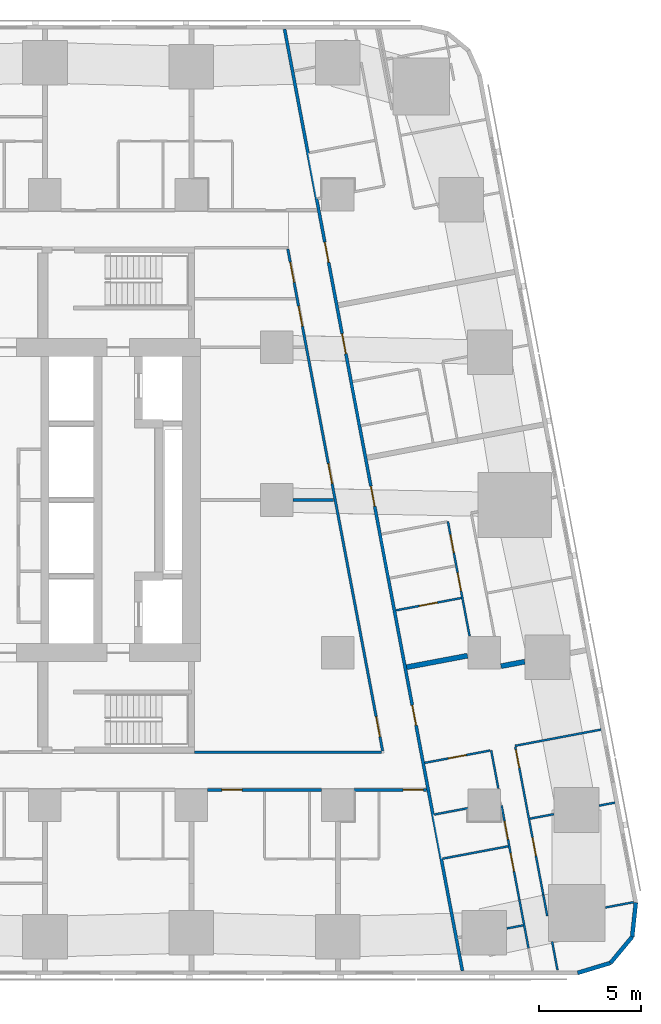
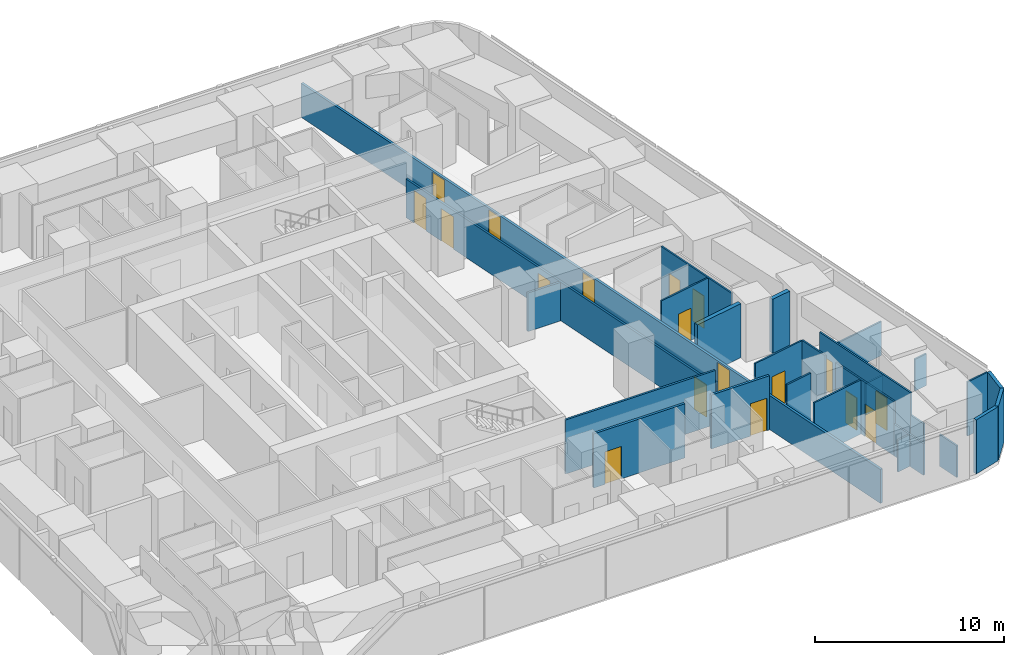
# One storey, part 6 of 14: 27 walls, 18 doors, 18 openings.
"""IFC4 building model written with IfcOpenShell, lengths in metres."""

from ifc_helpers import new_model, si_unit, direction, frame, frame_2d, origin, place, context, subcontext, project, spatial, rectangle, extrude, material, layer, layer_set, type_object, element, fill, save


model = new_model("IFC4")

# Units and contexts
model_context = context("Model", 3, precision=1e-05, world=origin(), true_north=direction((0.0, 1.0)))
body_context = subcontext(model_context, "Body", "Model", "MODEL_VIEW")
ifc_project = project(units=[si_unit("LENGTHUNIT", "METRE"), si_unit("AREAUNIT", "SQUARE_METRE"), si_unit("VOLUMEUNIT", "CUBIC_METRE"), si_unit("PLANEANGLEUNIT", "RADIAN"), si_unit("MASSUNIT", "GRAM", prefix="KILO")], contexts=[model_context])

# Site, building, storey
site_placement = place(None, origin())
site = spatial("IfcSite", under=ifc_project, at=site_placement, CompositionType="ELEMENT")
building_placement = place(site_placement, origin())
building = spatial("IfcBuilding", under=site, at=building_placement, Name="Sheger Commons Tower", CompositionType="ELEMENT")
storey_placement = place(building_placement, frame((0.0, 0.0, 122.89990234375)))
storey = spatial("IfcBuildingStorey", under=building, at=storey_placement, Name="L31", CompositionType="ELEMENT", Elevation=122.89990234375)

# Wall, opening, door
ifc_material_1 = material(Name="Hollow concrete block masonry, skimmed both sides", Category="masonry")
ifc_layer_1 = layer(ifc_material_1, 0.14990234375)
ifc_layer_set_1 = layer_set([ifc_layer_1], Name="CORRIDOR WALL 150")
wall_type_1 = type_object("IfcWallType", Name="CORRIDOR WALL 150", PredefinedType="SOLIDWALL", material=ifc_layer_set_1)
wall_1_placement = place(storey_placement, frame((40.35595703125, 8.25, 0.0), z_axis=(0.0, 0.0, 1.0), x_axis=(-1.0, 0.0, 0.0)))
wall_1 = element("IfcWall", 1, at=wall_1_placement, inside=storey, type_object=wall_type_1, Name="Corridor wall L31", PredefinedType="SOLIDWALL", context=body_context, shape_type="SweptSolid", body=[
    extrude(rectangle(XDim=3.554931640625, YDim=0.14990234375, at=frame_2d((1.77734375, 0.0))), origin(), (0.0, 0.0, 1.0), 3.5),
])
opening_1_placement = place(wall_1_placement, frame((0.14990234375, 0.0, 0.0)))
opening_1 = element("IfcOpeningElement", 2, at=opening_1_placement, cuts=wall_1, Name="Opening D1", PredefinedType="OPENING", context=body_context, shape_type="SweptSolid", body=[
    extrude(rectangle(XDim=1.0, YDim=2.10009765625, at=frame_2d((0.5, 1.050048828125))), frame((0.0, 0.0849609375, 0.0), z_axis=(0.0, -1.0, 0.0), x_axis=(1.0, 0.0, 0.0)), (0.0, 0.0, 1.0), 0.169921875),
])
ifc_material_2 = material(Name="Steel door set, fire rated", Category="steel")
door_type_1 = type_object("IfcDoorType", Name="FLAT ENTRANCE DOOR 1000x2100", OperationType="NOTDEFINED", PredefinedType="DOOR", material=ifc_material_2)
door_1_placement = place(opening_1_placement, origin())
door_1 = element("IfcDoor", 3, at=door_1_placement, inside=storey, type_object=door_type_1, Name="Flat entrance door", OperationType="SINGLE_SWING_LEFT", OverallHeight=2.10009765625, OverallWidth=1.0, PredefinedType="DOOR", context=body_context, shape_type="SweptSolid", body=[
    extrude(rectangle(XDim=1.0, YDim=2.10009765625, at=frame_2d((0.5, 1.050048828125))), frame((0.0, 0.02490234375, 0.0), z_axis=(0.0, -1.0, 0.0), x_axis=(1.0, 0.0, 0.0)), (0.0, 0.0, 1.0), 0.050048828125),
])
fill(opening_1, door_1)

wall_2_placement = place(storey_placement, frame((35.198974609375, 8.25, 0.0), z_axis=(0.0, 0.0, 1.0), x_axis=(-1.0, 0.0, 0.0)))
wall_2 = element("IfcWall", 4, at=wall_2_placement, inside=storey, type_object=wall_type_1, Name="Corridor wall L31", PredefinedType="SOLIDWALL", context=body_context, shape_type="SweptSolid", body=[
    extrude(rectangle(XDim=5.597900390625, YDim=0.14990234375, at=frame_2d((2.798828125, 0.0))), origin(), (0.0, 0.0, 1.0), 3.5),
])
opening_2_placement = place(wall_2_placement, frame((3.89892578125, 0.0, 0.0)))
opening_2 = element("IfcOpeningElement", 5, at=opening_2_placement, cuts=wall_2, Name="Opening D1", PredefinedType="OPENING", context=body_context, shape_type="SweptSolid", body=[
    extrude(rectangle(XDim=1.0, YDim=2.10009765625, at=frame_2d((0.5, 1.050048828125))), frame((0.0, 0.0849609375, 0.0), z_axis=(0.0, -1.0, 0.0), x_axis=(1.0, 0.0, 0.0)), (0.0, 0.0, 1.0), 0.169921875),
])
door_2_placement = place(opening_2_placement, origin())
door_2 = element("IfcDoor", 6, at=door_2_placement, inside=storey, type_object=door_type_1, Name="Flat entrance door", OperationType="SINGLE_SWING_RIGHT", OverallHeight=2.10009765625, OverallWidth=1.0, PredefinedType="DOOR", context=body_context, shape_type="SweptSolid", body=[
    extrude(rectangle(XDim=1.0, YDim=2.10009765625, at=frame_2d((0.5, 1.050048828125))), frame((0.0, 0.02490234375, 0.0), z_axis=(0.0, -1.0, 0.0), x_axis=(1.0, 0.0, 0.0)), (0.0, 0.0, 1.0), 0.050048828125),
])
fill(opening_2, door_2)

# Wall, openings, doors
wall_3_placement = place(storey_placement, frame((33.382080078125, 45.64990234375, 0.0), z_axis=(0.0, 0.0, 1.0), x_axis=(0.185593544777, -0.982626600565, 0.0)))
wall_3 = element("IfcWall", 7, at=wall_3_placement, inside=storey, type_object=wall_type_1, Name="Corridor wall L31", PredefinedType="SOLIDWALL", context=body_context, shape_type="SweptSolid", body=[
    extrude(rectangle(XDim=47.118408203125, YDim=0.14990234375, at=frame_2d((23.55908203125, 0.0))), origin(), (0.0, 0.0, 1.0), 2.2001953125),
])
opening_3_placement = place(wall_3_placement, frame((10.662109375, 0.0, 0.0)))
opening_3 = element("IfcOpeningElement", 8, at=opening_3_placement, cuts=wall_3, Name="Opening D1", PredefinedType="OPENING", context=body_context, shape_type="SweptSolid", body=[
    extrude(rectangle(XDim=1.0, YDim=2.10009765625, at=frame_2d((0.5, 1.050048828125))), frame((0.0, 0.0849609375, 0.0), z_axis=(0.0, -1.0, 0.0), x_axis=(1.0, 0.0, 0.0)), (0.0, 0.0, 1.0), 0.169921875),
])
opening_4_placement = place(wall_3_placement, frame((15.237060546875, 0.0, 0.0)))
opening_4 = element("IfcOpeningElement", 9, at=opening_4_placement, cuts=wall_3, Name="Opening D1", PredefinedType="OPENING", context=body_context, shape_type="SweptSolid", body=[
    extrude(rectangle(XDim=1.0, YDim=2.10009765625, at=frame_2d((0.5, 1.050048828125))), frame((0.0, 0.0849609375, 0.0), z_axis=(0.0, -1.0, 0.0), x_axis=(1.0, 0.0, 0.0)), (0.0, 0.0, 1.0), 0.169921875),
])
opening_5_placement = place(wall_3_placement, frame((22.8701171875, 0.0, 0.0)))
opening_5 = element("IfcOpeningElement", 10, at=opening_5_placement, cuts=wall_3, Name="Opening D1", PredefinedType="OPENING", context=body_context, shape_type="SweptSolid", body=[
    extrude(rectangle(XDim=1.0, YDim=2.10009765625, at=frame_2d((0.5, 1.050048828125))), frame((0.0, 0.0849609375, 0.0), z_axis=(0.0, -1.0, 0.0), x_axis=(1.0, 0.0, 0.0)), (0.0, 0.0, 1.0), 0.169921875),
])
opening_6_placement = place(wall_3_placement, frame((33.8330078125, 0.0, 0.0)))
opening_6 = element("IfcOpeningElement", 11, at=opening_6_placement, cuts=wall_3, Name="Opening D1", PredefinedType="OPENING", context=body_context, shape_type="SweptSolid", body=[
    extrude(rectangle(XDim=1.0, YDim=2.10009765625, at=frame_2d((0.5, 1.050048828125))), frame((0.0, 0.0849609375, 0.0), z_axis=(0.0, -1.0, 0.0), x_axis=(1.0, 0.0, 0.0)), (0.0, 0.0, 1.0), 0.169921875),
])
door_3_placement = place(opening_3_placement, origin())
door_3 = element("IfcDoor", 12, at=door_3_placement, inside=storey, type_object=door_type_1, Name="Flat entrance door", OperationType="SINGLE_SWING_RIGHT", OverallHeight=2.10009765625, OverallWidth=1.0, PredefinedType="DOOR", context=body_context, shape_type="SweptSolid", body=[
    extrude(rectangle(XDim=1.0, YDim=2.10009765625, at=frame_2d((0.5, 1.050048828125))), frame((0.0, 0.02490234375, 0.0), z_axis=(0.0, -1.0, 0.0), x_axis=(1.0, 0.0, 0.0)), (0.0, 0.0, 1.0), 0.050048828125),
])
fill(opening_3, door_3)
door_4_placement = place(opening_4_placement, origin())
door_4 = element("IfcDoor", 13, at=door_4_placement, inside=storey, type_object=door_type_1, Name="Flat entrance door", OperationType="SINGLE_SWING_LEFT", OverallHeight=2.10009765625, OverallWidth=1.0, PredefinedType="DOOR", context=body_context, shape_type="SweptSolid", body=[
    extrude(rectangle(XDim=1.0, YDim=2.10009765625, at=frame_2d((0.5, 1.050048828125))), frame((0.0, 0.02490234375, 0.0), z_axis=(0.0, -1.0, 0.0), x_axis=(1.0, 0.0, 0.0)), (0.0, 0.0, 1.0), 0.050048828125),
])
fill(opening_4, door_4)
door_5_placement = place(opening_5_placement, origin())
door_5 = element("IfcDoor", 14, at=door_5_placement, inside=storey, type_object=door_type_1, Name="Flat entrance door", OperationType="SINGLE_SWING_RIGHT", OverallHeight=2.10009765625, OverallWidth=1.0, PredefinedType="DOOR", context=body_context, shape_type="SweptSolid", body=[
    extrude(rectangle(XDim=1.0, YDim=2.10009765625, at=frame_2d((0.5, 1.050048828125))), frame((0.0, 0.02490234375, 0.0), z_axis=(0.0, -1.0, 0.0), x_axis=(1.0, 0.0, 0.0)), (0.0, 0.0, 1.0), 0.050048828125),
])
fill(opening_5, door_5)
door_6_placement = place(opening_6_placement, origin())
door_6 = element("IfcDoor", 15, at=door_6_placement, inside=storey, type_object=door_type_1, Name="Flat entrance door", OperationType="SINGLE_SWING_LEFT", OverallHeight=2.10009765625, OverallWidth=1.0, PredefinedType="DOOR", context=body_context, shape_type="SweptSolid", body=[
    extrude(rectangle(XDim=1.0, YDim=2.10009765625, at=frame_2d((0.5, 1.050048828125))), frame((0.0, 0.02490234375, 0.0), z_axis=(0.0, -1.0, 0.0), x_axis=(1.0, 0.0, 0.0)), (0.0, 0.0, 1.0), 0.050048828125),
])
fill(opening_6, door_6)

# Walls
ifc_material_3 = material(Name="Dense concrete block masonry, plastered both sides (separating wall between flats)", Category="masonry")
ifc_layer_2 = layer(ifc_material_3, 0.25)
ifc_layer_set_2 = layer_set([ifc_layer_2], Name="DEMISING WALL 250")
wall_type_2 = type_object("IfcWallType", Name="DEMISING WALL 250", PredefinedType="SOLIDWALL", material=ifc_layer_set_2)
wall_4_placement = place(storey_placement, frame((45.18994140625, 14.550048828125, 0.0), z_axis=(0.0, 0.0, 1.0), x_axis=(-0.982666604435, -0.185381618634, 0.0)))
element("IfcWall", 16, at=wall_4_placement, inside=storey, type_object=wall_type_2, Name="Demising wall L31", PredefinedType="SOLIDWALL", context=body_context, shape_type="SweptSolid", body=[
    extrude(rectangle(XDim=1.1865234375, YDim=0.25, at=frame_2d((0.59326171875, 0.0))), origin(), (0.0, 0.0, 1.0), 3.5),
])
wall_5_placement = place(storey_placement, frame((42.3759765625, 14.843994140625, 0.0), z_axis=(0.0, 0.0, 1.0), x_axis=(-0.982636286056, -0.185542257522, 0.0)))
element("IfcWall", 17, at=wall_5_placement, inside=storey, type_object=wall_type_2, Name="Demising wall L31", PredefinedType="SOLIDWALL", context=body_context, shape_type="SweptSolid", body=[
    extrude(rectangle(XDim=3.044921875, YDim=0.25, at=frame_2d((1.5224609375, 0.0))), origin(), (0.0, 0.0, 1.0), 3.5),
])
ifc_material_4 = material(Name="Rendered concrete block masonry, dark grey", Category="masonry")
ifc_layer_3 = layer(ifc_material_4, 0.199951171875)
ifc_layer_set_3 = layer_set([ifc_layer_3], Name="FACADE WALL 200")
wall_type_3 = type_object("IfcWallType", Name="FACADE WALL 200", PredefinedType="SOLIDWALL", material=ifc_layer_set_3)
wall_6_placement = place(storey_placement, frame((47.791015625, -0.75, 0.0), z_axis=(0.0, 0.0, 1.0), x_axis=(0.957455232626, 0.288581838509, 0.0)))
element("IfcWall", 18, at=wall_6_placement, inside=storey, type_object=wall_type_3, Name="Facade wall L31", PredefinedType="SOLIDWALL", context=body_context, shape_type="SweptSolid", body=[
    extrude(rectangle(XDim=1.687744140625, YDim=0.199951171875, at=frame_2d((0.84375, 0.0))), origin(), (0.0, 0.0, 1.0), 3.5),
])
wall_7_placement = place(storey_placement, frame((49.406982421875, -0.262939453125, 0.0), z_axis=(0.0, 0.0, 1.0), x_axis=(0.638042593423, 0.770001070764, 0.0)))
element("IfcWall", 19, at=wall_7_placement, inside=storey, type_object=wall_type_3, Name="Facade wall L31", PredefinedType="SOLIDWALL", context=body_context, shape_type="SweptSolid", body=[
    extrude(rectangle(XDim=1.672607421875, YDim=0.199951171875, at=frame_2d((0.83642578125, 0.0))), origin(), (0.0, 0.0, 1.0), 3.5),
])
wall_8_placement = place(storey_placement, frame((50.47412109375, 1.02490234375, 0.0), z_axis=(0.0, 0.0, 1.0), x_axis=(0.106047815515, 0.994361031429, 0.0)))
element("IfcWall", 20, at=wall_8_placement, inside=storey, type_object=wall_type_3, Name="Facade wall L31", PredefinedType="SOLIDWALL", context=body_context, shape_type="SweptSolid", body=[
    extrude(rectangle(XDim=1.6875, YDim=0.199951171875, at=frame_2d((0.84375, 0.0))), origin(), (0.0, 0.0, 1.0), 3.5),
])

# Wall, openings, doors
ifc_material_5 = material(Name="Gypsum board on steel studs", Category="steel")
ifc_layer_4 = layer(ifc_material_5, 0.10009765625)
ifc_layer_set_4 = layer_set([ifc_layer_4], Name="PARTITION 100")
wall_type_4 = type_object("IfcWallType", Name="PARTITION 100", PredefinedType="PARTITIONING", material=ifc_layer_set_4)
wall_9_placement = place(storey_placement, frame((41.4140625, 21.44189453125, 0.0), z_axis=(0.0, 0.0, 1.0), x_axis=(0.185636022079, -0.982618576716, 0.0)))
wall_9 = element("IfcWall", 21, at=wall_9_placement, inside=storey, type_object=wall_type_4, Name="Partition L31", PredefinedType="PARTITIONING", context=body_context, shape_type="SweptSolid", body=[
    extrude(rectangle(XDim=5.7314453125, YDim=0.10009765625, at=frame_2d((2.86572265625, 0.0))), origin(), (0.0, 0.0, 1.0), 3.5),
])
opening_7_placement = place(wall_9_placement, frame((0.655029296875, 0.0, 0.0)))
opening_7 = element("IfcOpeningElement", 22, at=opening_7_placement, cuts=wall_9, Name="Opening D2", PredefinedType="OPENING", context=body_context, shape_type="SweptSolid", body=[
    extrude(rectangle(XDim=0.89990234375, YDim=2.10009765625, at=frame_2d((0.449951171875, 1.050048828125))), frame((0.0, 0.06005859375, 0.0), z_axis=(0.0, -1.0, 0.0), x_axis=(1.0, 0.0, 0.0)), (0.0, 0.0, 1.0), 0.1201171875),
])
opening_8_placement = place(wall_9_placement, frame((2.56298828125, 0.0, 0.0)))
opening_8 = element("IfcOpeningElement", 23, at=opening_8_placement, cuts=wall_9, Name="Opening D2", PredefinedType="OPENING", context=body_context, shape_type="SweptSolid", body=[
    extrude(rectangle(XDim=0.89990234375, YDim=2.10009765625, at=frame_2d((0.449951171875, 1.050048828125))), frame((0.0, 0.06005859375, 0.0), z_axis=(0.0, -1.0, 0.0), x_axis=(1.0, 0.0, 0.0)), (0.0, 0.0, 1.0), 0.1201171875),
])
ifc_material_6 = material(Name="Timber door set", Category="wood")
door_type_2 = type_object("IfcDoorType", Name="INTERNAL DOOR 900x2100", OperationType="NOTDEFINED", PredefinedType="DOOR", material=ifc_material_6)
door_7_placement = place(opening_7_placement, origin())
door_7 = element("IfcDoor", 24, at=door_7_placement, inside=storey, type_object=door_type_2, Name="Bathroom door", OperationType="SINGLE_SWING_RIGHT", OverallHeight=2.10009765625, OverallWidth=0.89990234375, PredefinedType="DOOR", context=body_context, shape_type="SweptSolid", body=[
    extrude(rectangle(XDim=0.89990234375, YDim=2.10009765625, at=frame_2d((0.449951171875, 1.050048828125))), frame((0.0, 0.02490234375, 0.0), z_axis=(0.0, -1.0, 0.0), x_axis=(1.0, 0.0, 0.0)), (0.0, 0.0, 1.0), 0.050048828125),
])
fill(opening_7, door_7)
door_8_placement = place(opening_8_placement, origin())
door_8 = element("IfcDoor", 25, at=door_8_placement, inside=storey, type_object=door_type_2, Name="Store door", OperationType="SINGLE_SWING_RIGHT", OverallHeight=2.10009765625, OverallWidth=0.89990234375, PredefinedType="DOOR", context=body_context, shape_type="SweptSolid", body=[
    extrude(rectangle(XDim=0.89990234375, YDim=2.10009765625, at=frame_2d((0.449951171875, 1.050048828125))), frame((0.0, 0.02490234375, 0.0), z_axis=(0.0, -1.0, 0.0), x_axis=(1.0, 0.0, 0.0)), (0.0, 0.0, 1.0), 0.050048828125),
])
fill(opening_8, door_8)

# Wall, opening, door
wall_10_placement = place(storey_placement, frame((42.072998046875, 17.681884765625, 0.0), z_axis=(0.0, 0.0, 1.0), x_axis=(-0.982610347627, -0.185679575441, 0.0)))
wall_10 = element("IfcWall", 26, at=wall_10_placement, inside=storey, type_object=wall_type_4, Name="Partition L31", PredefinedType="PARTITIONING", context=body_context, shape_type="SweptSolid", body=[
    extrude(rectangle(XDim=3.27392578125, YDim=0.10009765625, at=frame_2d((1.636962890625, 0.0))), origin(), (0.0, 0.0, 1.0), 3.5),
])
opening_9_placement = place(wall_10_placement, frame((1.199951171875, 0.0, 0.0)))
opening_9 = element("IfcOpeningElement", 27, at=opening_9_placement, cuts=wall_10, Name="Opening D2", PredefinedType="OPENING", context=body_context, shape_type="SweptSolid", body=[
    extrude(rectangle(XDim=0.89990234375, YDim=2.10009765625, at=frame_2d((0.449951171875, 1.050048828125))), frame((0.0, 0.06005859375, 0.0), z_axis=(0.0, -1.0, 0.0), x_axis=(1.0, 0.0, 0.0)), (0.0, 0.0, 1.0), 0.1201171875),
])
door_9_placement = place(opening_9_placement, origin())
door_9 = element("IfcDoor", 28, at=door_9_placement, inside=storey, type_object=door_type_2, Name="Store door", OperationType="SINGLE_SWING_RIGHT", OverallHeight=2.10009765625, OverallWidth=0.89990234375, PredefinedType="DOOR", context=body_context, shape_type="SweptSolid", body=[
    extrude(rectangle(XDim=0.89990234375, YDim=2.10009765625, at=frame_2d((0.449951171875, 1.050048828125))), frame((0.0, 0.02490234375, 0.0), z_axis=(0.0, -1.0, 0.0), x_axis=(1.0, 0.0, 0.0)), (0.0, 0.0, 1.0), 0.050048828125),
])
fill(opening_9, door_9)

# Wall, openings, doors
wall_11_placement = place(storey_placement, frame((44.72705078125, 10.365966796875, 0.0), z_axis=(0.0, 0.0, 1.0), x_axis=(0.185678775129, -0.982610498858, 0.0)))
wall_11 = element("IfcWall", 29, at=wall_11_placement, inside=storey, type_object=wall_type_4, Name="Partition L31", PredefinedType="PARTITIONING", context=body_context, shape_type="SweptSolid", body=[
    extrude(rectangle(XDim=7.421142578125, YDim=0.10009765625, at=frame_2d((3.71044921875, 0.0))), origin(), (0.0, 0.0, 1.0), 3.5),
])
opening_10_placement = place(wall_11_placement, frame((0.15087890625, 0.0, 0.0)))
opening_10 = element("IfcOpeningElement", 30, at=opening_10_placement, cuts=wall_11, Name="Opening D2", PredefinedType="OPENING", context=body_context, shape_type="SweptSolid", body=[
    extrude(rectangle(XDim=0.89990234375, YDim=2.10009765625, at=frame_2d((0.449951171875, 1.050048828125))), frame((0.0, 0.06005859375, 0.0), z_axis=(0.0, -1.0, 0.0), x_axis=(1.0, 0.0, 0.0)), (0.0, 0.0, 1.0), 0.1201171875),
])
opening_11_placement = place(wall_11_placement, frame((4.550048828125, 0.0, 0.0)))
opening_11 = element("IfcOpeningElement", 31, at=opening_11_placement, cuts=wall_11, Name="Opening D2", PredefinedType="OPENING", context=body_context, shape_type="SweptSolid", body=[
    extrude(rectangle(XDim=0.89990234375, YDim=2.10009765625, at=frame_2d((0.449951171875, 1.050048828125))), frame((0.0, 0.06005859375, 0.0), z_axis=(0.0, -1.0, 0.0), x_axis=(1.0, 0.0, 0.0)), (0.0, 0.0, 1.0), 0.1201171875),
])
door_10_placement = place(opening_10_placement, origin())
door_10 = element("IfcDoor", 32, at=door_10_placement, inside=storey, type_object=door_type_2, Name="Main bedroom door", OperationType="SINGLE_SWING_LEFT", OverallHeight=2.10009765625, OverallWidth=0.89990234375, PredefinedType="DOOR", context=body_context, shape_type="SweptSolid", body=[
    extrude(rectangle(XDim=0.89990234375, YDim=2.10009765625, at=frame_2d((0.449951171875, 1.050048828125))), frame((0.0, 0.02490234375, 0.0), z_axis=(0.0, -1.0, 0.0), x_axis=(1.0, 0.0, 0.0)), (0.0, 0.0, 1.0), 0.050048828125),
])
fill(opening_10, door_10)
door_11_placement = place(opening_11_placement, origin())
door_11 = element("IfcDoor", 33, at=door_11_placement, inside=storey, type_object=door_type_2, Name="Bedroom 2 door", OperationType="SINGLE_SWING_LEFT", OverallHeight=2.10009765625, OverallWidth=0.89990234375, PredefinedType="DOOR", context=body_context, shape_type="SweptSolid", body=[
    extrude(rectangle(XDim=0.89990234375, YDim=2.10009765625, at=frame_2d((0.449951171875, 1.050048828125))), frame((0.0, 0.02490234375, 0.0), z_axis=(0.0, -1.0, 0.0), x_axis=(1.0, 0.0, 0.0)), (0.0, 0.0, 1.0), 0.050048828125),
])
fill(opening_11, door_11)

# Walls
wall_12_placement = place(storey_placement, frame((46.10498046875, 3.073974609375, 0.0), z_axis=(0.0, 0.0, 1.0), x_axis=(0.185897769544, -0.982569091351, 0.0)))
element("IfcWall", 34, at=wall_12_placement, inside=storey, type_object=wall_type_4, Name="Partition L31", PredefinedType="PARTITIONING", context=body_context, shape_type="SweptSolid", body=[
    extrude(rectangle(XDim=1.044189453125, YDim=0.10009765625, at=frame_2d((0.52197265625, 0.0))), origin(), (0.0, 0.0, 1.0), 2.050048828125),
])
wall_13_placement = place(storey_placement, frame((46.537109375, 0.787109375, 0.0), z_axis=(0.0, 0.0, 1.0), x_axis=(0.185348284603, -0.982672892368, 0.0)))
element("IfcWall", 35, at=wall_13_placement, inside=storey, type_object=wall_type_4, Name="Partition L31", PredefinedType="PARTITIONING", context=body_context, shape_type="SweptSolid", body=[
    extrude(rectangle(XDim=1.418701171875, YDim=0.10009765625, at=frame_2d((0.70947265625, 0.0))), origin(), (0.0, 0.0, 1.0), 2.050048828125),
])
wall_14_placement = place(storey_placement, frame((43.5390625, 10.19189453125, 0.0), z_axis=(0.0, 0.0, 1.0), x_axis=(0.185366049966, -0.982669541362, 0.0)))
element("IfcWall", 36, at=wall_14_placement, inside=storey, type_object=wall_type_4, Name="Partition L31", PredefinedType="PARTITIONING", context=body_context, shape_type="SweptSolid", body=[
    extrude(rectangle(XDim=1.9150390625, YDim=0.10009765625, at=frame_2d((0.95751953125, 0.0))), origin(), (0.0, 0.0, 1.0), 3.5),
])

# Wall, openings, doors
wall_15_placement = place(storey_placement, frame((44.049072265625, 7.489990234375, 0.0), z_axis=(0.0, 0.0, 1.0), x_axis=(0.185666332607, -0.982612849975, 0.0)))
wall_15 = element("IfcWall", 37, at=wall_15_placement, inside=storey, type_object=wall_type_4, Name="Partition L31", PredefinedType="PARTITIONING", context=body_context, shape_type="SweptSolid", body=[
    extrude(rectangle(XDim=4.74951171875, YDim=0.10009765625, at=frame_2d((2.374755859375, 0.0))), origin(), (0.0, 0.0, 1.0), 3.5),
])
opening_12_placement = place(wall_15_placement, frame((0.800048828125, 0.0, 0.0)))
opening_12 = element("IfcOpeningElement", 38, at=opening_12_placement, cuts=wall_15, Name="Opening D2", PredefinedType="OPENING", context=body_context, shape_type="SweptSolid", body=[
    extrude(rectangle(XDim=0.89990234375, YDim=2.10009765625, at=frame_2d((0.449951171875, 1.050048828125))), frame((0.0, 0.06005859375, 0.0), z_axis=(0.0, -1.0, 0.0), x_axis=(1.0, 0.0, 0.0)), (0.0, 0.0, 1.0), 0.1201171875),
])
opening_13_placement = place(wall_15_placement, frame((2.39599609375, 0.0, 0.0)))
opening_13 = element("IfcOpeningElement", 39, at=opening_13_placement, cuts=wall_15, Name="Opening D2", PredefinedType="OPENING", context=body_context, shape_type="SweptSolid", body=[
    extrude(rectangle(XDim=0.89990234375, YDim=2.10009765625, at=frame_2d((0.449951171875, 1.050048828125))), frame((0.0, 0.06005859375, 0.0), z_axis=(0.0, -1.0, 0.0), x_axis=(1.0, 0.0, 0.0)), (0.0, 0.0, 1.0), 0.1201171875),
])
door_12_placement = place(opening_12_placement, origin())
door_12 = element("IfcDoor", 40, at=door_12_placement, inside=storey, type_object=door_type_2, Name="Bathroom door", OperationType="SINGLE_SWING_LEFT", OverallHeight=2.10009765625, OverallWidth=0.89990234375, PredefinedType="DOOR", context=body_context, shape_type="SweptSolid", body=[
    extrude(rectangle(XDim=0.89990234375, YDim=2.10009765625, at=frame_2d((0.449951171875, 1.050048828125))), frame((0.0, 0.02490234375, 0.0), z_axis=(0.0, -1.0, 0.0), x_axis=(1.0, 0.0, 0.0)), (0.0, 0.0, 1.0), 0.050048828125),
])
fill(opening_12, door_12)
door_13_placement = place(opening_13_placement, origin())
door_13 = element("IfcDoor", 41, at=door_13_placement, inside=storey, type_object=door_type_2, Name="Store door", OperationType="SINGLE_SWING_RIGHT", OverallHeight=2.10009765625, OverallWidth=0.89990234375, PredefinedType="DOOR", context=body_context, shape_type="SweptSolid", body=[
    extrude(rectangle(XDim=0.89990234375, YDim=2.10009765625, at=frame_2d((0.449951171875, 1.050048828125))), frame((0.0, 0.02490234375, 0.0), z_axis=(0.0, -1.0, 0.0), x_axis=(1.0, 0.0, 0.0)), (0.0, 0.0, 1.0), 0.050048828125),
])
fill(opening_13, door_13)

# Walls
wall_16_placement = place(storey_placement, frame((44.930908203125, 2.822998046875, 0.0), z_axis=(0.0, 0.0, 1.0), x_axis=(0.185631845838, -0.982619365681, 0.0)))
element("IfcWall", 42, at=wall_16_placement, inside=storey, type_object=wall_type_4, Name="Partition L31", PredefinedType="PARTITIONING", context=body_context, shape_type="SweptSolid", body=[
    extrude(rectangle(XDim=2.40283203125, YDim=0.10009765625, at=frame_2d((1.201416015625, 0.0))), origin(), (0.0, 0.0, 1.0), 2.050048828125),
])
wall_17_placement = place(storey_placement, frame((48.943115234375, 11.212890625, 0.0), z_axis=(0.0, 0.0, 1.0), x_axis=(-0.982633535512, -0.185556823879, 0.0)))
element("IfcWall", 43, at=wall_17_placement, inside=storey, type_object=wall_type_4, Name="Partition L31", PredefinedType="PARTITIONING", context=body_context, shape_type="SweptSolid", body=[
    extrude(rectangle(XDim=4.2998046875, YDim=0.10009765625, at=frame_2d((2.14990234375, 0.0))), origin(), (0.0, 0.0, 1.0), 2.2001953125),
])
wall_18_placement = place(storey_placement, frame((49.6220703125, 7.6201171875, 0.0), z_axis=(0.0, 0.0, 1.0), x_axis=(-0.982512656401, -0.186195810938, 0.0)))
element("IfcWall", 44, at=wall_18_placement, inside=storey, type_object=wall_type_4, Name="Partition L31", PredefinedType="PARTITIONING", context=body_context, shape_type="SweptSolid", body=[
    extrude(rectangle(XDim=0.7958984375, YDim=0.10009765625, at=frame_2d((0.39794921875, 0.0))), origin(), (0.0, 0.0, 1.0), 2.050048828125),
])
wall_19_placement = place(storey_placement, frame((46.6201171875, 7.052978515625, 0.0), z_axis=(0.0, 0.0, 1.0), x_axis=(-0.982749355621, -0.18494243436, 0.0)))
element("IfcWall", 45, at=wall_19_placement, inside=storey, type_object=wall_type_4, Name="Partition L31", PredefinedType="PARTITIONING", context=body_context, shape_type="SweptSolid", body=[
    extrude(rectangle(XDim=1.194580078125, YDim=0.10009765625, at=frame_2d((0.59716796875, 0.0))), origin(), (0.0, 0.0, 1.0), 2.050048828125),
])
wall_20_placement = place(storey_placement, frame((50.547119140625, 2.72607421875, 0.0), z_axis=(0.0, 0.0, 1.0), x_axis=(-0.982680053146, -0.185310315822, 0.0)))
element("IfcWall", 46, at=wall_20_placement, inside=storey, type_object=wall_type_4, Name="Partition L31", PredefinedType="PARTITIONING", context=body_context, shape_type="SweptSolid", body=[
    extrude(rectangle(XDim=1.41357421875, YDim=0.10009765625, at=frame_2d((0.706787109375, 0.0))), origin(), (0.0, 0.0, 1.0), 3.5),
])

# Wall, opening, door
wall_21_placement = place(storey_placement, frame((43.489990234375, 10.18310546875, 0.0), z_axis=(0.0, 0.0, 1.0), x_axis=(-0.982607026909, -0.185697147715, 0.0)))
wall_21 = element("IfcWall", 47, at=wall_21_placement, inside=storey, type_object=wall_type_4, Name="Partition L31", PredefinedType="PARTITIONING", context=body_context, shape_type="SweptSolid", body=[
    extrude(rectangle(XDim=3.27490234375, YDim=0.10009765625, at=frame_2d((1.637451171875, 0.0))), origin(), (0.0, 0.0, 1.0), 3.5),
])
opening_14_placement = place(wall_21_placement, frame((1.199951171875, 0.0, 0.0)))
opening_14 = element("IfcOpeningElement", 48, at=opening_14_placement, cuts=wall_21, Name="Opening D2", PredefinedType="OPENING", context=body_context, shape_type="SweptSolid", body=[
    extrude(rectangle(XDim=0.89990234375, YDim=2.10009765625, at=frame_2d((0.449951171875, 1.050048828125))), frame((0.0, 0.06005859375, 0.0), z_axis=(0.0, -1.0, 0.0), x_axis=(1.0, 0.0, 0.0)), (0.0, 0.0, 1.0), 0.1201171875),
])
door_14_placement = place(opening_14_placement, origin())
door_14 = element("IfcDoor", 49, at=door_14_placement, inside=storey, type_object=door_type_2, Name="Store door", OperationType="SINGLE_SWING_LEFT", OverallHeight=2.10009765625, OverallWidth=0.89990234375, PredefinedType="DOOR", context=body_context, shape_type="SweptSolid", body=[
    extrude(rectangle(XDim=0.89990234375, YDim=2.10009765625, at=frame_2d((0.449951171875, 1.050048828125))), frame((0.0, 0.02490234375, 0.0), z_axis=(0.0, -1.0, 0.0), x_axis=(1.0, 0.0, 0.0)), (0.0, 0.0, 1.0), 0.050048828125),
])
fill(opening_14, door_14)

# Walls
wall_22_placement = place(storey_placement, frame((42.389892578125, 7.347900390625, 0.0), z_axis=(0.0, 0.0, 1.0), x_axis=(-0.9825976927, -0.185746532405, 0.0)))
element("IfcWall", 50, at=wall_22_placement, inside=storey, type_object=wall_type_4, Name="Partition L31", PredefinedType="PARTITIONING", context=body_context, shape_type="SweptSolid", body=[
    extrude(rectangle(XDim=1.66796875, YDim=0.10009765625, at=frame_2d((0.833984375, 0.0))), origin(), (0.0, 0.0, 1.0), 3.5),
])
wall_23_placement = place(storey_placement, frame((45.114013671875, 1.5869140625, 0.0), z_axis=(0.0, 0.0, 1.0), x_axis=(-0.982624706348, -0.185603573443, 0.0)))
element("IfcWall", 51, at=wall_23_placement, inside=storey, type_object=wall_type_4, Name="Partition L31", PredefinedType="PARTITIONING", context=body_context, shape_type="SweptSolid", body=[
    extrude(rectangle(XDim=0.818115234375, YDim=0.10009765625, at=frame_2d((0.4091796875, 0.0))), origin(), (0.0, 0.0, 1.0), 2.050048828125),
])
wall_24_placement = place(storey_placement, frame((44.37890625, 5.47412109375, 0.0), z_axis=(0.0, 0.0, 1.0), x_axis=(-0.982607026909, -0.185697147715, 0.0)))
element("IfcWall", 52, at=wall_24_placement, inside=storey, type_object=wall_type_4, Name="Partition L31", PredefinedType="PARTITIONING", context=body_context, shape_type="SweptSolid", body=[
    extrude(rectangle(XDim=3.27490234375, YDim=0.10009765625, at=frame_2d((1.637451171875, 0.0))), origin(), (0.0, 0.0, 1.0), 3.5),
])
ifc_material_7 = material(Name="Gypsum board on steel studs, two layers each side, fire rated", Category="steel")
ifc_layer_5 = layer(ifc_material_7, 0.125)
ifc_layer_set_5 = layer_set([ifc_layer_5], Name="SERVICE WALL 125")
wall_type_5 = type_object("IfcWallType", Name="SERVICE WALL 125", PredefinedType="PARTITIONING", material=ifc_layer_set_5)
wall_25_placement = place(storey_placement, frame((28.949951171875, 10.10009765625, 0.0), z_axis=(0.0, 0.0, 1.0), x_axis=(1.0, 0.0, 0.0)))
element("IfcWall", 53, at=wall_25_placement, inside=storey, type_object=wall_type_5, Name="Service room wall L31", PredefinedType="PARTITIONING", context=body_context, shape_type="SweptSolid", body=[
    extrude(rectangle(XDim=9.18798828125, YDim=0.125, at=frame_2d((4.593994140625, 0.0))), origin(), (0.0, 0.0, 1.0), 3.5),
])

# Wall, openings, doors
wall_26_placement = place(storey_placement, frame((38.201904296875, 10.1630859375, 0.0), z_axis=(0.0, 0.0, 1.0), x_axis=(-0.185610321132, 0.982623431783, 0.0)))
wall_26 = element("IfcWall", 54, at=wall_26_placement, inside=storey, type_object=wall_type_5, Name="Service room wall L31", PredefinedType="PARTITIONING", context=body_context, shape_type="SweptSolid", body=[
    extrude(rectangle(XDim=25.111083984375, YDim=0.125, at=frame_2d((12.5556640625, 0.0))), origin(), (0.0, 0.0, 1.0), 2.5),
])
opening_15_placement = place(wall_26_placement, frame((0.7080078125, 0.0, 0.0)))
opening_15 = element("IfcOpeningElement", 55, at=opening_15_placement, cuts=wall_26, Name="Opening D4", PredefinedType="OPENING", context=body_context, shape_type="SweptSolid", body=[
    extrude(rectangle(XDim=1.0, YDim=2.10009765625, at=frame_2d((0.5, 1.050048828125))), frame((0.0, 0.072509765625, 0.0), z_axis=(0.0, -1.0, 0.0), x_axis=(1.0, 0.0, 0.0)), (0.0, 0.0, 1.0), 0.14501953125),
])
opening_16_placement = place(wall_26_placement, frame((13.3779296875, 0.0, 0.0)))
opening_16 = element("IfcOpeningElement", 56, at=opening_16_placement, cuts=wall_26, Name="Opening D4", PredefinedType="OPENING", context=body_context, shape_type="SweptSolid", body=[
    extrude(rectangle(XDim=1.0, YDim=2.10009765625, at=frame_2d((0.5, 1.050048828125))), frame((0.0, 0.072509765625, 0.0), z_axis=(0.0, -1.0, 0.0), x_axis=(1.0, 0.0, 0.0)), (0.0, 0.0, 1.0), 0.14501953125),
])
opening_17_placement = place(wall_26_placement, frame((21.25, 0.0, 0.0)))
opening_17 = element("IfcOpeningElement", 57, at=opening_17_placement, cuts=wall_26, Name="Opening D4", PredefinedType="OPENING", context=body_context, shape_type="SweptSolid", body=[
    extrude(rectangle(XDim=1.0, YDim=2.10009765625, at=frame_2d((0.5, 1.050048828125))), frame((0.0, 0.072509765625, 0.0), z_axis=(0.0, -1.0, 0.0), x_axis=(1.0, 0.0, 0.0)), (0.0, 0.0, 1.0), 0.14501953125),
])
opening_18_placement = place(wall_26_placement, frame((23.452880859375, 0.0, 0.0)))
opening_18 = element("IfcOpeningElement", 58, at=opening_18_placement, cuts=wall_26, Name="Opening D4", PredefinedType="OPENING", context=body_context, shape_type="SweptSolid", body=[
    extrude(rectangle(XDim=1.0, YDim=2.10009765625, at=frame_2d((0.5, 1.050048828125))), frame((0.0, 0.072509765625, 0.0), z_axis=(0.0, -1.0, 0.0), x_axis=(1.0, 0.0, 0.0)), (0.0, 0.0, 1.0), 0.14501953125),
])
ifc_material_8 = material(Name="Steel door set, fire rated", Category="steel")
door_type_3 = type_object("IfcDoorType", Name="SERVICE DOOR 1000x2100", OperationType="NOTDEFINED", PredefinedType="DOOR", material=ifc_material_8)
door_15_placement = place(opening_15_placement, origin())
door_15 = element("IfcDoor", 59, at=door_15_placement, inside=storey, type_object=door_type_3, Name="Children's play room door", OperationType="SINGLE_SWING_LEFT", OverallHeight=2.10009765625, OverallWidth=1.0, PredefinedType="DOOR", context=body_context, shape_type="SweptSolid", body=[
    extrude(rectangle(XDim=1.0, YDim=2.10009765625, at=frame_2d((0.5, 1.050048828125))), frame((0.0, 0.02490234375, 0.0), z_axis=(0.0, -1.0, 0.0), x_axis=(1.0, 0.0, 0.0)), (0.0, 0.0, 1.0), 0.050048828125),
])
fill(opening_15, door_15)
door_16_placement = place(opening_16_placement, origin())
door_16 = element("IfcDoor", 60, at=door_16_placement, inside=storey, type_object=door_type_3, Name="Residents' meeting room door", OperationType="SINGLE_SWING_LEFT", OverallHeight=2.10009765625, OverallWidth=1.0, PredefinedType="DOOR", context=body_context, shape_type="SweptSolid", body=[
    extrude(rectangle(XDim=1.0, YDim=2.10009765625, at=frame_2d((0.5, 1.050048828125))), frame((0.0, 0.02490234375, 0.0), z_axis=(0.0, -1.0, 0.0), x_axis=(1.0, 0.0, 0.0)), (0.0, 0.0, 1.0), 0.050048828125),
])
fill(opening_16, door_16)
door_17_placement = place(opening_17_placement, origin())
door_17 = element("IfcDoor", 61, at=door_17_placement, inside=storey, type_object=door_type_3, Name="Residents' store door", OperationType="SINGLE_SWING_RIGHT", OverallHeight=2.10009765625, OverallWidth=1.0, PredefinedType="DOOR", context=body_context, shape_type="SweptSolid", body=[
    extrude(rectangle(XDim=1.0, YDim=2.10009765625, at=frame_2d((0.5, 1.050048828125))), frame((0.0, 0.02490234375, 0.0), z_axis=(0.0, -1.0, 0.0), x_axis=(1.0, 0.0, 0.0)), (0.0, 0.0, 1.0), 0.050048828125),
])
fill(opening_17, door_17)
door_18_placement = place(opening_18_placement, origin())
door_18 = element("IfcDoor", 62, at=door_18_placement, inside=storey, type_object=door_type_3, Name="Caretaker's store door", OperationType="SINGLE_SWING_RIGHT", OverallHeight=2.10009765625, OverallWidth=1.0, PredefinedType="DOOR", context=body_context, shape_type="SweptSolid", body=[
    extrude(rectangle(XDim=1.0, YDim=2.10009765625, at=frame_2d((0.5, 1.050048828125))), frame((0.0, 0.02490234375, 0.0), z_axis=(0.0, -1.0, 0.0), x_axis=(1.0, 0.0, 0.0)), (0.0, 0.0, 1.0), 0.050048828125),
])
fill(opening_18, door_18)

# Wall
wall_27_placement = place(storey_placement, frame((33.801025390625, 22.5, 0.0), z_axis=(0.0, 0.0, 1.0), x_axis=(1.0, 0.0, 0.0)))
element("IfcWall", 63, at=wall_27_placement, inside=storey, type_object=wall_type_5, Name="Service room wall L31", PredefinedType="PARTITIONING", context=body_context, shape_type="SweptSolid", body=[
    extrude(rectangle(XDim=1.994873046875, YDim=0.125, at=frame_2d((0.99755859375, 0.0))), origin(), (0.0, 0.0, 1.0), 2.5),
])

save(model, "model.ifc")
